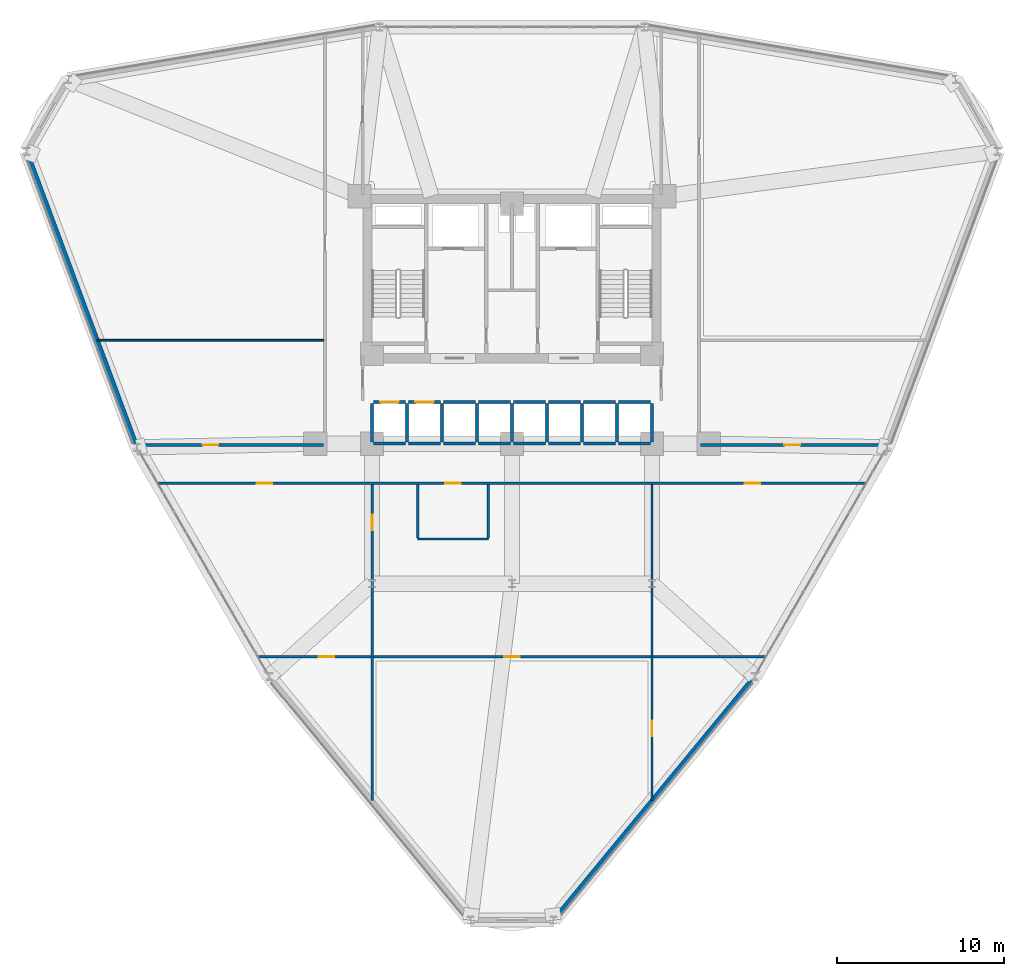
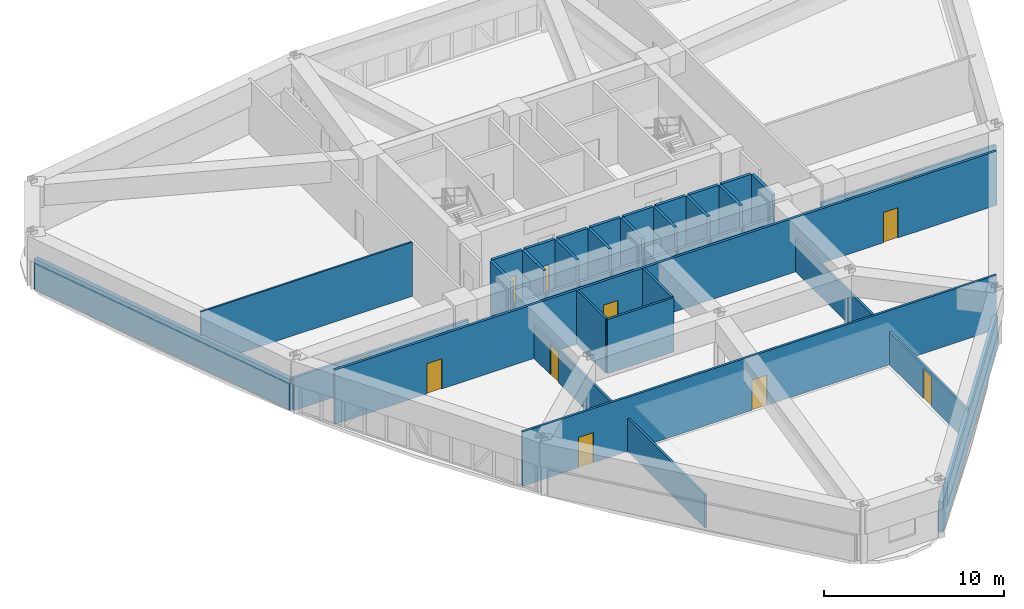
# One storey, part 15 of 20: 37 walls, 11 doors, 11 openings.
"""IFC4 building model written with IfcOpenShell, lengths in metres."""

from ifc_helpers import new_model, si_unit, derived_unit, direction, frame, frame_2d, origin, place, context, subcontext, project, spatial, rectangle, extrude, material, layer, layer_set, type_object, element, fill, save


model = new_model("IFC4")

# Units and contexts
model_context = context("Model", 3, precision=1e-05, world=origin(), true_north=direction((0.0, 1.0)))
body_context = subcontext(model_context, "Body", "Model", "MODEL_VIEW")
ifc_project = project(units=[si_unit("LENGTHUNIT", "METRE"), si_unit("AREAUNIT", "SQUARE_METRE"), si_unit("VOLUMEUNIT", "CUBIC_METRE"), si_unit("PLANEANGLEUNIT", "RADIAN"), si_unit("MASSUNIT", "GRAM", prefix="KILO"), derived_unit("THERMALTRANSMITTANCEUNIT", [(si_unit("POWERUNIT", "WATT"), 1), (si_unit("LENGTHUNIT", "METRE"), -2), (si_unit("THERMODYNAMICTEMPERATUREUNIT", "KELVIN"), -1)])], contexts=[model_context])

# Site, building, storey
site_placement = place(None, origin())
site = spatial("IfcSite", under=ifc_project, at=site_placement, CompositionType="ELEMENT")
building_placement = place(site_placement, origin())
building = spatial("IfcBuilding", under=site, at=building_placement, Name="Korsvarv Bourse and Concert Hall", CompositionType="ELEMENT")
storey_placement = place(building_placement, frame((0.0, 0.0, 43.5)))
storey = spatial("IfcBuildingStorey", under=building, at=storey_placement, Name="L10", CompositionType="ELEMENT", Elevation=43.5)

# Walls
ifc_material_1 = material(Name="Precast concrete C45/55 with fluted terracotta pier", Category="concrete")
ifc_layer_1 = layer(ifc_material_1, 0.280029296875)
ifc_layer_set_1 = layer_set([ifc_layer_1], Name="Precast concrete C45/55 with fluted terracotta pier")
wall_type_1 = type_object("IfcWallType", Name="WL-EXT-TC2", PredefinedType="SOLIDWALL", material=ifc_layer_set_1)
wall_1_placement = place(storey_placement, frame((6.96044921875, 49.69775390625, 0.0), z_axis=(0.0, 0.0, 1.0), x_axis=(0.349439969545, -0.936958754527, 0.0)))
element("IfcWall", 1, at=wall_1_placement, inside=storey, type_object=wall_type_1, Name="L10 terracotta exterior wall EW-L10-B06", PredefinedType="SOLIDWALL", context=body_context, shape_type="SweptSolid", body=[
    extrude(rectangle(XDim=18.44189453125, YDim=0.280029296875, at=frame_2d((9.220947265625, 0.0))), origin(), (0.0, 0.0, 1.0), 2.080078125),
])
wall_2_placement = place(storey_placement, frame((38.692626953125, 4.044921875, 0.0), z_axis=(0.0, 0.0, 1.0), x_axis=(0.636707615974, 0.771105318203, 0.0)))
element("IfcWall", 2, at=wall_2_placement, inside=storey, type_object=wall_type_1, Name="L10 terracotta exterior wall EW-L10-B10", PredefinedType="SOLIDWALL", context=body_context, shape_type="SweptSolid", body=[
    extrude(rectangle(XDim=18.330810546875, YDim=0.280029296875, at=frame_2d((9.16552734375, 0.0))), origin(), (0.0, 0.0, 1.0), 2.080078125),
])

# Wall, openings, doors
ifc_material_2 = material(Name="Double-stud fire-rated acoustic partition", Category="gypsum")
ifc_layer_2 = layer(ifc_material_2, 0.159912109375)
ifc_layer_set_2 = layer_set([ifc_layer_2], Name="Double-stud fire-rated acoustic partition")
wall_type_2 = type_object("IfcWallType", Name="WL-INT-EI60", PredefinedType="PARTITIONING", material=ifc_layer_set_2)
wall_3_placement = place(storey_placement, frame((14.75732421875, 30.02490234375, 0.0), z_axis=(0.0, 0.0, 1.0), x_axis=(1.0, 0.0, 0.0)))
wall_3 = element("IfcWall", 3, at=wall_3_placement, inside=storey, type_object=wall_type_2, Name="L10 interior partition wall W-L10-TCOR-01", PredefinedType="PARTITIONING", context=body_context, shape_type="SweptSolid", body=[
    extrude(rectangle(XDim=42.4853515625, YDim=0.159912109375, at=frame_2d((21.24267578125, 0.0))), origin(), (0.0, 0.0, 1.0), 3.679931640625),
])
opening_1_placement = place(wall_3_placement, frame((17.227783203125, 0.0, 0.0)))
opening_1 = element("IfcOpeningElement", 4, at=opening_1_placement, cuts=wall_3, Name="Opening D-02", PredefinedType="OPENING", context=body_context, shape_type="SweptSolid", body=[
    extrude(rectangle(XDim=0.949951171875, YDim=2.050048828125, at=frame_2d((0.47509765625, 1.02490234375))), frame((0.0, 0.08984375, 0.0), z_axis=(0.0, -1.0, 0.0), x_axis=(1.0, 0.0, 0.0)), (0.0, 0.0, 1.0), 0.179931640625),
])
opening_2_placement = place(wall_3_placement, frame((5.908447265625, 0.0, 0.0)))
opening_2 = element("IfcOpeningElement", 5, at=opening_2_placement, cuts=wall_3, Name="Opening D-02", PredefinedType="OPENING", context=body_context, shape_type="SweptSolid", body=[
    extrude(rectangle(XDim=0.949951171875, YDim=2.050048828125, at=frame_2d((0.47509765625, 1.02490234375))), frame((0.0, 0.08984375, 0.0), z_axis=(0.0, -1.0, 0.0), x_axis=(1.0, 0.0, 0.0)), (0.0, 0.0, 1.0), 0.179931640625),
])
opening_3_placement = place(wall_3_placement, frame((35.19921875, 0.0, 0.0)))
opening_3 = element("IfcOpeningElement", 6, at=opening_3_placement, cuts=wall_3, Name="Opening D-02", PredefinedType="OPENING", context=body_context, shape_type="SweptSolid", body=[
    extrude(rectangle(XDim=0.949951171875, YDim=2.050048828125, at=frame_2d((0.47509765625, 1.02490234375))), frame((0.0, 0.08984375, 0.0), z_axis=(0.0, -1.0, 0.0), x_axis=(1.0, 0.0, 0.0)), (0.0, 0.0, 1.0), 0.179931640625),
])
ifc_material_3 = material(Name="Timber and steel acoustic fire door", Category="wood")
door_type_1 = type_object("IfcDoorType", Name="DR-FD30", OperationType="NOTDEFINED", PredefinedType="DOOR", material=ifc_material_3)
door_1_placement = place(opening_1_placement, origin())
door_1 = element("IfcDoor", 7, at=door_1_placement, inside=storey, type_object=door_type_1, Name="L10 interior door DR-L10-TCOR-RWC", OperationType="SINGLE_SWING_RIGHT", OverallHeight=2.050048828125, OverallWidth=0.949951171875, PredefinedType="DOOR", context=body_context, shape_type="SweptSolid", body=[
    extrude(rectangle(XDim=0.949951171875, YDim=2.050048828125, at=frame_2d((0.47509765625, 1.02490234375))), frame((0.0, 0.02490234375, 0.0), z_axis=(0.0, -1.0, 0.0), x_axis=(1.0, 0.0, 0.0)), (0.0, 0.0, 1.0), 0.050048828125),
])
fill(opening_1, door_1)
door_2_placement = place(opening_2_placement, origin())
door_2 = element("IfcDoor", 8, at=door_2_placement, inside=storey, type_object=door_type_1, Name="L10 interior door DR-L10-TCOR-FI34", OperationType="SINGLE_SWING_LEFT", OverallHeight=2.050048828125, OverallWidth=0.949951171875, PredefinedType="DOOR", context=body_context, shape_type="SweptSolid", body=[
    extrude(rectangle(XDim=0.949951171875, YDim=2.050048828125, at=frame_2d((0.47509765625, 1.02490234375))), frame((0.0, 0.02490234375, 0.0), z_axis=(0.0, -1.0, 0.0), x_axis=(1.0, 0.0, 0.0)), (0.0, 0.0, 1.0), 0.050048828125),
])
fill(opening_2, door_2)
door_3_placement = place(opening_3_placement, origin())
door_3 = element("IfcDoor", 9, at=door_3_placement, inside=storey, type_object=door_type_1, Name="L10 interior door DR-L10-TCOR-FI48", OperationType="SINGLE_SWING_RIGHT", OverallHeight=2.050048828125, OverallWidth=0.949951171875, PredefinedType="DOOR", context=body_context, shape_type="SweptSolid", body=[
    extrude(rectangle(XDim=0.949951171875, YDim=2.050048828125, at=frame_2d((0.47509765625, 1.02490234375))), frame((0.0, 0.02490234375, 0.0), z_axis=(0.0, -1.0, 0.0), x_axis=(1.0, 0.0, 0.0)), (0.0, 0.0, 1.0), 0.050048828125),
])
fill(opening_3, door_3)

# Wall, opening, door
wall_4_placement = place(storey_placement, frame((47.306884765625, 32.31494140625, 0.0), z_axis=(0.0, 0.0, 1.0), x_axis=(1.0, 0.0, 0.0)))
wall_4 = element("IfcWall", 10, at=wall_4_placement, inside=storey, type_object=wall_type_2, Name="L10 interior partition wall W-L10-TCOR-04", PredefinedType="PARTITIONING", context=body_context, shape_type="SweptSolid", body=[
    extrude(rectangle(XDim=11.229736328125, YDim=0.159912109375, at=frame_2d((5.61474609375, 0.0))), origin(), (0.0, 0.0, 1.0), 2.239990234375),
])
opening_4_placement = place(wall_4_placement, frame((5.03271484375, 0.0, 0.0)))
opening_4 = element("IfcOpeningElement", 11, at=opening_4_placement, cuts=wall_4, Name="Opening D-02", PredefinedType="OPENING", context=body_context, shape_type="SweptSolid", body=[
    extrude(rectangle(XDim=0.949951171875, YDim=2.050048828125, at=frame_2d((0.47509765625, 1.02490234375))), frame((0.0, 0.08984375, 0.0), z_axis=(0.0, -1.0, 0.0), x_axis=(1.0, 0.0, 0.0)), (0.0, 0.0, 1.0), 0.179931640625),
])
door_4_placement = place(opening_4_placement, origin())
door_4 = element("IfcDoor", 12, at=door_4_placement, inside=storey, type_object=door_type_1, Name="L10 interior door DR-L10-TCOR-FI71", OperationType="SINGLE_SWING_LEFT", OverallHeight=2.050048828125, OverallWidth=0.949951171875, PredefinedType="DOOR", context=body_context, shape_type="SweptSolid", body=[
    extrude(rectangle(XDim=0.949951171875, YDim=2.050048828125, at=frame_2d((0.47509765625, 1.02490234375))), frame((0.0, 0.02490234375, 0.0), z_axis=(0.0, -1.0, 0.0), x_axis=(1.0, 0.0, 0.0)), (0.0, 0.0, 1.0), 0.050048828125),
])
fill(opening_4, door_4)

wall_5_placement = place(storey_placement, frame((13.46337890625, 32.31494140625, 0.0), z_axis=(0.0, 0.0, 1.0), x_axis=(1.0, 0.0, 0.0)))
wall_5 = element("IfcWall", 13, at=wall_5_placement, inside=storey, type_object=wall_type_2, Name="L10 interior partition wall W-L10-TCOR-05", PredefinedType="PARTITIONING", context=body_context, shape_type="SweptSolid", body=[
    extrude(rectangle(XDim=11.229736328125, YDim=0.159912109375, at=frame_2d((5.61474609375, 0.0))), origin(), (0.0, 0.0, 1.0), 2.239990234375),
])
opening_5_placement = place(wall_5_placement, frame((3.961669921875, 0.0, 0.0)))
opening_5 = element("IfcOpeningElement", 14, at=opening_5_placement, cuts=wall_5, Name="Opening D-02", PredefinedType="OPENING", context=body_context, shape_type="SweptSolid", body=[
    extrude(rectangle(XDim=0.949951171875, YDim=2.050048828125, at=frame_2d((0.47509765625, 1.02490234375))), frame((0.0, 0.08984375, 0.0), z_axis=(0.0, -1.0, 0.0), x_axis=(1.0, 0.0, 0.0)), (0.0, 0.0, 1.0), 0.179931640625),
])
door_5_placement = place(opening_5_placement, origin())
door_5 = element("IfcDoor", 15, at=door_5_placement, inside=storey, type_object=door_type_1, Name="L10 interior door DR-L10-TCOR-FI510", OperationType="SINGLE_SWING_RIGHT", OverallHeight=2.050048828125, OverallWidth=0.949951171875, PredefinedType="DOOR", context=body_context, shape_type="SweptSolid", body=[
    extrude(rectangle(XDim=0.949951171875, YDim=2.050048828125, at=frame_2d((0.47509765625, 1.02490234375))), frame((0.0, 0.02490234375, 0.0), z_axis=(0.0, -1.0, 0.0), x_axis=(1.0, 0.0, 0.0)), (0.0, 0.0, 1.0), 0.050048828125),
])
fill(opening_5, door_5)

ifc_material_4 = material(Name="Gypsum-clad autoclaved concrete shaft wall C30/37", Category="concrete")
ifc_layer_3 = layer(ifc_material_4, 0.179931640625)
ifc_layer_set_3 = layer_set([ifc_layer_3], Name="Gypsum-clad autoclaved concrete shaft wall C30/37")
wall_type_3 = type_object("IfcWallType", Name="WL-INT-EI90", PredefinedType="PARTITIONING", material=ifc_layer_set_3)
wall_6_placement = place(storey_placement, frame((27.68994140625, 34.89990234375, 0.0), z_axis=(0.0, 0.0, 1.0), x_axis=(1.0, 0.0, 0.0)))
wall_6 = element("IfcWall", 16, at=wall_6_placement, inside=storey, type_object=wall_type_3, Name="L10 interior partition wall W-L10-SHFN-PL1", PredefinedType="PARTITIONING", context=body_context, shape_type="SweptSolid", body=[
    extrude(rectangle(XDim=1.920166015625, YDim=0.179931640625, at=frame_2d((0.9599609375, 0.0))), origin(), (0.0, 0.0, 1.0), 3.679931640625),
])
opening_6_placement = place(wall_6_placement, frame((0.409912109375, 0.0, 0.0)))
opening_6 = element("IfcOpeningElement", 17, at=opening_6_placement, cuts=wall_6, Name="Opening LD-2", PredefinedType="OPENING", context=body_context, shape_type="SweptSolid", body=[
    extrude(rectangle(XDim=1.10009765625, YDim=2.10009765625, at=frame_2d((0.550048828125, 1.050048828125))), frame((0.0, 0.10009765625, 0.0), z_axis=(0.0, -1.0, 0.0), x_axis=(1.0, 0.0, 0.0)), (0.0, 0.0, 1.0), 0.199951171875),
])
ifc_material_5 = material(Name="Brushed stainless Steel S355 lift landing door", Category="steel")
door_type_2 = type_object("IfcDoorType", Name="DR-LIFT-P", OperationType="DOUBLE_DOOR_SLIDING", PredefinedType="DOOR", material=ifc_material_5)
door_6_placement = place(opening_6_placement, origin())
door_6 = element("IfcDoor", 18, at=door_6_placement, inside=storey, type_object=door_type_2, Name="L10 lift sliding landing door LD-L10-PL1", OperationType="DOUBLE_DOOR_SLIDING", OverallHeight=2.10009765625, OverallWidth=1.10009765625, PredefinedType="DOOR", context=body_context, shape_type="SweptSolid", body=[
    extrude(rectangle(XDim=1.10009765625, YDim=2.10009765625, at=frame_2d((0.550048828125, 1.050048828125))), frame((0.0, 0.02490234375, 0.0), z_axis=(0.0, -1.0, 0.0), x_axis=(1.0, 0.0, 0.0)), (0.0, 0.0, 1.0), 0.050048828125),
])
fill(opening_6, door_6)

# Walls
wall_7_placement = place(storey_placement, frame((27.68994140625, 32.39990234375, 0.0), z_axis=(0.0, 0.0, 1.0), x_axis=(1.0, 0.0, 0.0)))
element("IfcWall", 19, at=wall_7_placement, inside=storey, type_object=wall_type_3, Name="L10 interior partition wall W-L10-SHFS-PL1", PredefinedType="PARTITIONING", context=body_context, shape_type="SweptSolid", body=[
    extrude(rectangle(XDim=1.920166015625, YDim=0.179931640625, at=frame_2d((0.9599609375, 0.0))), origin(), (0.0, 0.0, 1.0), 2.239990234375),
])
wall_8_placement = place(storey_placement, frame((27.60009765625, 32.489990234375, 0.0), z_axis=(0.0, 0.0, 1.0), x_axis=(0.0, 1.0, 0.0)))
element("IfcWall", 20, at=wall_8_placement, inside=storey, type_object=wall_type_3, Name="L10 interior partition wall W-L10-SHFW-PL1", PredefinedType="PARTITIONING", context=body_context, shape_type="SweptSolid", body=[
    extrude(rectangle(XDim=2.320068359375, YDim=0.179931640625, at=frame_2d((1.16015625, 0.0))), origin(), (0.0, 0.0, 1.0), 3.679931640625),
])

# Wall, opening, door
wall_9_placement = place(storey_placement, frame((29.7900390625, 34.89990234375, 0.0), z_axis=(0.0, 0.0, 1.0), x_axis=(1.0, 0.0, 0.0)))
wall_9 = element("IfcWall", 21, at=wall_9_placement, inside=storey, type_object=wall_type_3, Name="L10 interior partition wall W-L10-SHFN-PL2", PredefinedType="PARTITIONING", context=body_context, shape_type="SweptSolid", body=[
    extrude(rectangle(XDim=1.919921875, YDim=0.179931640625, at=frame_2d((0.9599609375, 0.0))), origin(), (0.0, 0.0, 1.0), 3.679931640625),
])
opening_7_placement = place(wall_9_placement, frame((0.409912109375, 0.0, 0.0)))
opening_7 = element("IfcOpeningElement", 22, at=opening_7_placement, cuts=wall_9, Name="Opening LD-2", PredefinedType="OPENING", context=body_context, shape_type="SweptSolid", body=[
    extrude(rectangle(XDim=1.10009765625, YDim=2.10009765625, at=frame_2d((0.550048828125, 1.050048828125))), frame((0.0, 0.10009765625, 0.0), z_axis=(0.0, -1.0, 0.0), x_axis=(1.0, 0.0, 0.0)), (0.0, 0.0, 1.0), 0.199951171875),
])
door_7_placement = place(opening_7_placement, origin())
door_7 = element("IfcDoor", 23, at=door_7_placement, inside=storey, type_object=door_type_2, Name="L10 lift sliding landing door LD-L10-PL2", OperationType="DOUBLE_DOOR_SLIDING", OverallHeight=2.10009765625, OverallWidth=1.10009765625, PredefinedType="DOOR", context=body_context, shape_type="SweptSolid", body=[
    extrude(rectangle(XDim=1.10009765625, YDim=2.10009765625, at=frame_2d((0.550048828125, 1.050048828125))), frame((0.0, 0.02490234375, 0.0), z_axis=(0.0, -1.0, 0.0), x_axis=(1.0, 0.0, 0.0)), (0.0, 0.0, 1.0), 0.050048828125),
])
fill(opening_7, door_7)

# Walls
wall_10_placement = place(storey_placement, frame((29.7900390625, 32.39990234375, 0.0), z_axis=(0.0, 0.0, 1.0), x_axis=(1.0, 0.0, 0.0)))
element("IfcWall", 24, at=wall_10_placement, inside=storey, type_object=wall_type_3, Name="L10 interior partition wall W-L10-SHFS-PL2", PredefinedType="PARTITIONING", context=body_context, shape_type="SweptSolid", body=[
    extrude(rectangle(XDim=1.919921875, YDim=0.179931640625, at=frame_2d((0.9599609375, 0.0))), origin(), (0.0, 0.0, 1.0), 2.239990234375),
])
wall_11_placement = place(storey_placement, frame((29.699951171875, 32.489990234375, 0.0), z_axis=(0.0, 0.0, 1.0), x_axis=(0.0, 1.0, 0.0)))
element("IfcWall", 25, at=wall_11_placement, inside=storey, type_object=wall_type_3, Name="L10 interior partition wall W-L10-SHFW-PL2", PredefinedType="PARTITIONING", context=body_context, shape_type="SweptSolid", body=[
    extrude(rectangle(XDim=2.320068359375, YDim=0.179931640625, at=frame_2d((1.16015625, 0.0))), origin(), (0.0, 0.0, 1.0), 3.679931640625),
])
wall_12_placement = place(storey_placement, frame((31.889892578125, 34.89990234375, 0.0), z_axis=(0.0, 0.0, 1.0), x_axis=(1.0, 0.0, 0.0)))
element("IfcWall", 26, at=wall_12_placement, inside=storey, type_object=wall_type_3, Name="L10 interior partition wall W-L10-SHFN-PM1", PredefinedType="PARTITIONING", context=body_context, shape_type="SweptSolid", body=[
    extrude(rectangle(XDim=1.920166015625, YDim=0.179931640625, at=frame_2d((0.9599609375, 0.0))), origin(), (0.0, 0.0, 1.0), 3.679931640625),
])
wall_13_placement = place(storey_placement, frame((31.889892578125, 32.39990234375, 0.0), z_axis=(0.0, 0.0, 1.0), x_axis=(1.0, 0.0, 0.0)))
element("IfcWall", 27, at=wall_13_placement, inside=storey, type_object=wall_type_3, Name="L10 interior partition wall W-L10-SHFS-PM1", PredefinedType="PARTITIONING", context=body_context, shape_type="SweptSolid", body=[
    extrude(rectangle(XDim=1.920166015625, YDim=0.179931640625, at=frame_2d((0.9599609375, 0.0))), origin(), (0.0, 0.0, 1.0), 2.239990234375),
])
wall_14_placement = place(storey_placement, frame((31.800048828125, 32.489990234375, 0.0), z_axis=(0.0, 0.0, 1.0), x_axis=(0.0, 1.0, 0.0)))
element("IfcWall", 28, at=wall_14_placement, inside=storey, type_object=wall_type_3, Name="L10 interior partition wall W-L10-SHFW-PM1", PredefinedType="PARTITIONING", context=body_context, shape_type="SweptSolid", body=[
    extrude(rectangle(XDim=2.320068359375, YDim=0.179931640625, at=frame_2d((1.16015625, 0.0))), origin(), (0.0, 0.0, 1.0), 3.679931640625),
])
wall_15_placement = place(storey_placement, frame((33.989990234375, 34.89990234375, 0.0), z_axis=(0.0, 0.0, 1.0), x_axis=(1.0, 0.0, 0.0)))
element("IfcWall", 29, at=wall_15_placement, inside=storey, type_object=wall_type_3, Name="L10 interior partition wall W-L10-SHFN-PM2", PredefinedType="PARTITIONING", context=body_context, shape_type="SweptSolid", body=[
    extrude(rectangle(XDim=1.919921875, YDim=0.179931640625, at=frame_2d((0.9599609375, 0.0))), origin(), (0.0, 0.0, 1.0), 3.679931640625),
])
wall_16_placement = place(storey_placement, frame((33.989990234375, 32.39990234375, 0.0), z_axis=(0.0, 0.0, 1.0), x_axis=(1.0, 0.0, 0.0)))
element("IfcWall", 30, at=wall_16_placement, inside=storey, type_object=wall_type_3, Name="L10 interior partition wall W-L10-SHFS-PM2", PredefinedType="PARTITIONING", context=body_context, shape_type="SweptSolid", body=[
    extrude(rectangle(XDim=1.919921875, YDim=0.179931640625, at=frame_2d((0.9599609375, 0.0))), origin(), (0.0, 0.0, 1.0), 2.239990234375),
])
wall_17_placement = place(storey_placement, frame((33.89990234375, 32.489990234375, 0.0), z_axis=(0.0, 0.0, 1.0), x_axis=(0.0, 1.0, 0.0)))
element("IfcWall", 31, at=wall_17_placement, inside=storey, type_object=wall_type_3, Name="L10 interior partition wall W-L10-SHFW-PM2", PredefinedType="PARTITIONING", context=body_context, shape_type="SweptSolid", body=[
    extrude(rectangle(XDim=2.320068359375, YDim=0.179931640625, at=frame_2d((1.16015625, 0.0))), origin(), (0.0, 0.0, 1.0), 3.679931640625),
])
wall_18_placement = place(storey_placement, frame((36.090087890625, 34.89990234375, 0.0), z_axis=(0.0, 0.0, 1.0), x_axis=(1.0, 0.0, 0.0)))
element("IfcWall", 32, at=wall_18_placement, inside=storey, type_object=wall_type_3, Name="L10 interior partition wall W-L10-SHFN-PH1", PredefinedType="PARTITIONING", context=body_context, shape_type="SweptSolid", body=[
    extrude(rectangle(XDim=1.919921875, YDim=0.179931640625, at=frame_2d((0.9599609375, 0.0))), origin(), (0.0, 0.0, 1.0), 3.679931640625),
])
wall_19_placement = place(storey_placement, frame((36.090087890625, 32.39990234375, 0.0), z_axis=(0.0, 0.0, 1.0), x_axis=(1.0, 0.0, 0.0)))
element("IfcWall", 33, at=wall_19_placement, inside=storey, type_object=wall_type_3, Name="L10 interior partition wall W-L10-SHFS-PH1", PredefinedType="PARTITIONING", context=body_context, shape_type="SweptSolid", body=[
    extrude(rectangle(XDim=1.919921875, YDim=0.179931640625, at=frame_2d((0.9599609375, 0.0))), origin(), (0.0, 0.0, 1.0), 2.239990234375),
])
wall_20_placement = place(storey_placement, frame((36.0, 32.489990234375, 0.0), z_axis=(0.0, 0.0, 1.0), x_axis=(0.0, 1.0, 0.0)))
element("IfcWall", 34, at=wall_20_placement, inside=storey, type_object=wall_type_3, Name="L10 interior partition wall W-L10-SHFW-PH1", PredefinedType="PARTITIONING", context=body_context, shape_type="SweptSolid", body=[
    extrude(rectangle(XDim=2.320068359375, YDim=0.179931640625, at=frame_2d((1.16015625, 0.0))), origin(), (0.0, 0.0, 1.0), 3.679931640625),
])
wall_21_placement = place(storey_placement, frame((38.18994140625, 34.89990234375, 0.0), z_axis=(0.0, 0.0, 1.0), x_axis=(1.0, 0.0, 0.0)))
element("IfcWall", 35, at=wall_21_placement, inside=storey, type_object=wall_type_3, Name="L10 interior partition wall W-L10-SHFN-PH2", PredefinedType="PARTITIONING", context=body_context, shape_type="SweptSolid", body=[
    extrude(rectangle(XDim=1.920166015625, YDim=0.179931640625, at=frame_2d((0.9599609375, 0.0))), origin(), (0.0, 0.0, 1.0), 3.679931640625),
])
wall_22_placement = place(storey_placement, frame((38.18994140625, 32.39990234375, 0.0), z_axis=(0.0, 0.0, 1.0), x_axis=(1.0, 0.0, 0.0)))
element("IfcWall", 36, at=wall_22_placement, inside=storey, type_object=wall_type_3, Name="L10 interior partition wall W-L10-SHFS-PH2", PredefinedType="PARTITIONING", context=body_context, shape_type="SweptSolid", body=[
    extrude(rectangle(XDim=1.920166015625, YDim=0.179931640625, at=frame_2d((0.9599609375, 0.0))), origin(), (0.0, 0.0, 1.0), 2.239990234375),
])
wall_23_placement = place(storey_placement, frame((38.10009765625, 32.489990234375, 0.0), z_axis=(0.0, 0.0, 1.0), x_axis=(0.0, 1.0, 0.0)))
element("IfcWall", 37, at=wall_23_placement, inside=storey, type_object=wall_type_3, Name="L10 interior partition wall W-L10-SHFW-PH2", PredefinedType="PARTITIONING", context=body_context, shape_type="SweptSolid", body=[
    extrude(rectangle(XDim=2.320068359375, YDim=0.179931640625, at=frame_2d((1.16015625, 0.0))), origin(), (0.0, 0.0, 1.0), 3.679931640625),
])
wall_24_placement = place(storey_placement, frame((40.2900390625, 34.89990234375, 0.0), z_axis=(0.0, 0.0, 1.0), x_axis=(1.0, 0.0, 0.0)))
element("IfcWall", 38, at=wall_24_placement, inside=storey, type_object=wall_type_3, Name="L10 interior partition wall W-L10-SHFN-PO1", PredefinedType="PARTITIONING", context=body_context, shape_type="SweptSolid", body=[
    extrude(rectangle(XDim=1.919921875, YDim=0.179931640625, at=frame_2d((0.9599609375, 0.0))), origin(), (0.0, 0.0, 1.0), 3.679931640625),
])
wall_25_placement = place(storey_placement, frame((40.2900390625, 32.39990234375, 0.0), z_axis=(0.0, 0.0, 1.0), x_axis=(1.0, 0.0, 0.0)))
element("IfcWall", 39, at=wall_25_placement, inside=storey, type_object=wall_type_3, Name="L10 interior partition wall W-L10-SHFS-PO1", PredefinedType="PARTITIONING", context=body_context, shape_type="SweptSolid", body=[
    extrude(rectangle(XDim=1.919921875, YDim=0.179931640625, at=frame_2d((0.9599609375, 0.0))), origin(), (0.0, 0.0, 1.0), 2.239990234375),
])
wall_26_placement = place(storey_placement, frame((40.199951171875, 32.489990234375, 0.0), z_axis=(0.0, 0.0, 1.0), x_axis=(0.0, 1.0, 0.0)))
element("IfcWall", 40, at=wall_26_placement, inside=storey, type_object=wall_type_3, Name="L10 interior partition wall W-L10-SHFW-PO1", PredefinedType="PARTITIONING", context=body_context, shape_type="SweptSolid", body=[
    extrude(rectangle(XDim=2.320068359375, YDim=0.179931640625, at=frame_2d((1.16015625, 0.0))), origin(), (0.0, 0.0, 1.0), 3.679931640625),
])
wall_27_placement = place(storey_placement, frame((42.389892578125, 34.89990234375, 0.0), z_axis=(0.0, 0.0, 1.0), x_axis=(1.0, 0.0, 0.0)))
element("IfcWall", 41, at=wall_27_placement, inside=storey, type_object=wall_type_3, Name="L10 interior partition wall W-L10-SHFN-PO2", PredefinedType="PARTITIONING", context=body_context, shape_type="SweptSolid", body=[
    extrude(rectangle(XDim=1.920166015625, YDim=0.179931640625, at=frame_2d((0.9599609375, 0.0))), origin(), (0.0, 0.0, 1.0), 3.679931640625),
])
wall_28_placement = place(storey_placement, frame((42.389892578125, 32.39990234375, 0.0), z_axis=(0.0, 0.0, 1.0), x_axis=(1.0, 0.0, 0.0)))
element("IfcWall", 42, at=wall_28_placement, inside=storey, type_object=wall_type_3, Name="L10 interior partition wall W-L10-SHFS-PO2", PredefinedType="PARTITIONING", context=body_context, shape_type="SweptSolid", body=[
    extrude(rectangle(XDim=1.920166015625, YDim=0.179931640625, at=frame_2d((0.9599609375, 0.0))), origin(), (0.0, 0.0, 1.0), 2.239990234375),
])
for number, where, z_axis, x_axis, name in (
    (43, (42.300048828125, 32.489990234375, 0.0), (0.0, 0.0, 1.0), (0.0, 1.0, 0.0), "L10 interior partition wall W-L10-SHFW-PO2"),
    (44, (44.39990234375, 32.489990234375, 0.0), (0.0, 0.0, 1.0), (0.0, 1.0, 0.0), "L10 interior partition wall W-L10-SHFE-END"),
):
    element("IfcWall", number, at=place(storey_placement, frame(where, z_axis=z_axis, x_axis=x_axis)), inside=storey, type_object=wall_type_3, Name=name, PredefinedType="PARTITIONING", context=body_context, shape_type="SweptSolid", body=[
        extrude(rectangle(XDim=2.320068359375, YDim=0.179931640625, at=frame_2d((1.16015625, 0.0))), origin(), (0.0, 0.0, 1.0), 3.679931640625),
    ])
ifc_material_6 = material(Name="Demountable acoustic glass and aluminium dealing partition", Category="aluminium")
ifc_layer_4 = layer(ifc_material_6, 0.110107421875)
ifc_layer_set_4 = layer_set([ifc_layer_4], Name="Demountable acoustic glass and aluminium dealing partition")
wall_type_4 = type_object("IfcWallType", Name="WL-INT-MOV", PredefinedType="MOVABLE", material=ifc_layer_set_4)
wall_29_placement = place(storey_placement, frame((11.11767578125, 38.60498046875, 0.0), z_axis=(0.0, 0.0, 1.0), x_axis=(1.0, 0.0, 0.0)))
element("IfcWall", 45, at=wall_29_placement, inside=storey, type_object=wall_type_4, Name="L10 interior partition wall W-L10-TCOR-12", PredefinedType="MOVABLE", context=body_context, shape_type="SweptSolid", body=[
    extrude(rectangle(XDim=13.575439453125, YDim=0.110107421875, at=frame_2d((6.78759765625, 0.0))), origin(), (0.0, 0.0, 1.0), 3.679931640625),
])

# Wall, openings, doors
ifc_material_7 = material(Name="Insulated steel-stud office acoustic partition", Category="gypsum")
ifc_layer_5 = layer(ifc_material_7, 0.139892578125)
ifc_layer_set_5 = layer_set([ifc_layer_5], Name="Insulated steel-stud office acoustic partition")
wall_type_5 = type_object("IfcWallType", Name="WL-INT-P1", PredefinedType="PARTITIONING", material=ifc_layer_set_5)
wall_30_placement = place(storey_placement, frame((20.773193359375, 19.60498046875, 0.0), z_axis=(0.0, 0.0, 1.0), x_axis=(1.0, 0.0, 0.0)))
wall_30 = element("IfcWall", 46, at=wall_30_placement, inside=storey, type_object=wall_type_5, Name="L10 interior partition wall W-L10-TCOR-08", PredefinedType="PARTITIONING", context=body_context, shape_type="SweptSolid", body=[
    extrude(rectangle(XDim=30.45361328125, YDim=0.139892578125, at=frame_2d((15.226806640625, 0.0))), origin(), (0.0, 0.0, 1.0), 3.679931640625),
])
opening_8_placement = place(wall_30_placement, frame((3.62109375, 0.0, 0.0)))
opening_8 = element("IfcOpeningElement", 47, at=opening_8_placement, cuts=wall_30, Name="Opening D-03", PredefinedType="OPENING", context=body_context, shape_type="SweptSolid", body=[
    extrude(rectangle(XDim=0.949951171875, YDim=2.050048828125, at=frame_2d((0.47509765625, 1.02490234375))), frame((0.0, 0.080078125, 0.0), z_axis=(0.0, -1.0, 0.0), x_axis=(1.0, 0.0, 0.0)), (0.0, 0.0, 1.0), 0.159912109375),
])
opening_9_placement = place(wall_30_placement, frame((14.751708984375, 0.0, 0.0)))
opening_9 = element("IfcOpeningElement", 48, at=opening_9_placement, cuts=wall_30, Name="Opening D-03", PredefinedType="OPENING", context=body_context, shape_type="SweptSolid", body=[
    extrude(rectangle(XDim=0.949951171875, YDim=2.050048828125, at=frame_2d((0.47509765625, 1.02490234375))), frame((0.0, 0.080078125, 0.0), z_axis=(0.0, -1.0, 0.0), x_axis=(1.0, 0.0, 0.0)), (0.0, 0.0, 1.0), 0.159912109375),
])
ifc_material_8 = material(Name="Nordic oak acoustic office door", Category="wood")
door_type_3 = type_object("IfcDoorType", Name="DR-INT-1", OperationType="NOTDEFINED", PredefinedType="DOOR", material=ifc_material_8)
door_8_placement = place(opening_8_placement, origin())
door_8 = element("IfcDoor", 49, at=door_8_placement, inside=storey, type_object=door_type_3, Name="L10 interior door DR-L10-TCOR-RM33", OperationType="SINGLE_SWING_RIGHT", OverallHeight=2.050048828125, OverallWidth=0.949951171875, PredefinedType="DOOR", context=body_context, shape_type="SweptSolid", body=[
    extrude(rectangle(XDim=0.949951171875, YDim=2.050048828125, at=frame_2d((0.47509765625, 1.02490234375))), frame((0.0, 0.02490234375, 0.0), z_axis=(0.0, -1.0, 0.0), x_axis=(1.0, 0.0, 0.0)), (0.0, 0.0, 1.0), 0.050048828125),
])
fill(opening_8, door_8)
door_9_placement = place(opening_9_placement, origin())
door_9 = element("IfcDoor", 50, at=door_9_placement, inside=storey, type_object=door_type_3, Name="L10 interior door DR-L10-TCOR-FI25", OperationType="SINGLE_SWING_LEFT", OverallHeight=2.050048828125, OverallWidth=0.949951171875, PredefinedType="DOOR", context=body_context, shape_type="SweptSolid", body=[
    extrude(rectangle(XDim=0.949951171875, YDim=2.050048828125, at=frame_2d((0.47509765625, 1.02490234375))), frame((0.0, 0.02490234375, 0.0), z_axis=(0.0, -1.0, 0.0), x_axis=(1.0, 0.0, 0.0)), (0.0, 0.0, 1.0), 0.050048828125),
])
fill(opening_9, door_9)

# Wall, opening, door
wall_31_placement = place(storey_placement, frame((27.60498046875, 10.97119140625, 0.0), z_axis=(0.0, 0.0, 1.0), x_axis=(0.0, 1.0, 0.0)))
wall_31 = element("IfcWall", 51, at=wall_31_placement, inside=storey, type_object=wall_type_5, Name="L10 interior partition wall W-L10-TCOR-09", PredefinedType="PARTITIONING", context=body_context, shape_type="SweptSolid", body=[
    extrude(rectangle(XDim=18.971923828125, YDim=0.139892578125, at=frame_2d((9.48583984375, 0.0))), origin(), (0.0, 0.0, 1.0), 2.239990234375),
])
opening_10_placement = place(wall_31_placement, frame((16.224609375, 0.0, 0.0)))
opening_10 = element("IfcOpeningElement", 52, at=opening_10_placement, cuts=wall_31, Name="Opening D-03", PredefinedType="OPENING", context=body_context, shape_type="SweptSolid", body=[
    extrude(rectangle(XDim=0.949951171875, YDim=2.050048828125, at=frame_2d((0.47509765625, 1.02490234375))), frame((0.0, 0.080078125, 0.0), z_axis=(0.0, -1.0, 0.0), x_axis=(1.0, 0.0, 0.0)), (0.0, 0.0, 1.0), 0.159912109375),
])
door_10_placement = place(opening_10_placement, origin())
door_10 = element("IfcDoor", 53, at=door_10_placement, inside=storey, type_object=door_type_3, Name="L10 interior door DR-L10-TCOR-FI16", OperationType="SINGLE_SWING_RIGHT", OverallHeight=2.050048828125, OverallWidth=0.949951171875, PredefinedType="DOOR", context=body_context, shape_type="SweptSolid", body=[
    extrude(rectangle(XDim=0.949951171875, YDim=2.050048828125, at=frame_2d((0.47509765625, 1.02490234375))), frame((0.0, 0.02490234375, 0.0), z_axis=(0.0, -1.0, 0.0), x_axis=(1.0, 0.0, 0.0)), (0.0, 0.0, 1.0), 0.050048828125),
])
fill(opening_10, door_10)

wall_32_placement = place(storey_placement, frame((44.405029296875, 10.983154296875, 0.0), z_axis=(0.0, 0.0, 1.0), x_axis=(0.0, 1.0, 0.0)))
wall_32 = element("IfcWall", 54, at=wall_32_placement, inside=storey, type_object=wall_type_5, Name="L10 interior partition wall W-L10-TCOR-10", PredefinedType="PARTITIONING", context=body_context, shape_type="SweptSolid", body=[
    extrude(rectangle(XDim=18.9599609375, YDim=0.139892578125, at=frame_2d((9.47998046875, 0.0))), origin(), (0.0, 0.0, 1.0), 2.239990234375),
])
opening_11_placement = place(wall_32_placement, frame((3.847412109375, 0.0, 0.0)))
opening_11 = element("IfcOpeningElement", 55, at=opening_11_placement, cuts=wall_32, Name="Opening D-03", PredefinedType="OPENING", context=body_context, shape_type="SweptSolid", body=[
    extrude(rectangle(XDim=0.949951171875, YDim=2.050048828125, at=frame_2d((0.47509765625, 1.02490234375))), frame((0.0, 0.080078125, 0.0), z_axis=(0.0, -1.0, 0.0), x_axis=(1.0, 0.0, 0.0)), (0.0, 0.0, 1.0), 0.159912109375),
])
door_11_placement = place(opening_11_placement, origin())
door_11 = element("IfcDoor", 56, at=door_11_placement, inside=storey, type_object=door_type_3, Name="L10 interior door DR-L10-TCOR-RM77", OperationType="SINGLE_SWING_LEFT", OverallHeight=2.050048828125, OverallWidth=0.949951171875, PredefinedType="DOOR", context=body_context, shape_type="SweptSolid", body=[
    extrude(rectangle(XDim=0.949951171875, YDim=2.050048828125, at=frame_2d((0.47509765625, 1.02490234375))), frame((0.0, 0.02490234375, 0.0), z_axis=(0.0, -1.0, 0.0), x_axis=(1.0, 0.0, 0.0)), (0.0, 0.0, 1.0), 0.050048828125),
])
fill(opening_11, door_11)

# Walls
wall_33_placement = place(storey_placement, frame((30.340087890625, 26.675048828125, 0.0), z_axis=(0.0, 0.0, 1.0), x_axis=(1.0, 0.0, 0.0)))
element("IfcWall", 57, at=wall_33_placement, inside=storey, type_object=wall_type_5, Name="L10 interior partition wall W-L10-TCOR-13", PredefinedType="PARTITIONING", context=body_context, shape_type="SweptSolid", body=[
    extrude(rectangle(XDim=4.239990234375, YDim=0.139892578125, at=frame_2d((2.1201171875, 0.0))), origin(), (0.0, 0.0, 1.0), 3.679931640625),
])
for number, where, z_axis, x_axis, name in (
    (58, (34.574951171875, 26.7470703125, 0.0), (0.0, 0.0, 1.0), (0.0, 1.0, 0.0), "L10 interior partition wall W-L10-TCOR-14"),
    (59, (30.344970703125, 26.7470703125, 0.0), (0.0, 0.0, 1.0), (0.0, 1.0, 0.0), "L10 interior partition wall W-L10-TCOR-15"),
):
    element("IfcWall", number, at=place(storey_placement, frame(where, z_axis=z_axis, x_axis=x_axis)), inside=storey, type_object=wall_type_5, Name=name, PredefinedType="PARTITIONING", context=body_context, shape_type="SweptSolid", body=[
        extrude(rectangle(XDim=3.196044921875, YDim=0.139892578125, at=frame_2d((1.59814453125, 0.0))), origin(), (0.0, 0.0, 1.0), 3.679931640625),
    ])

save(model, "model.ifc")
